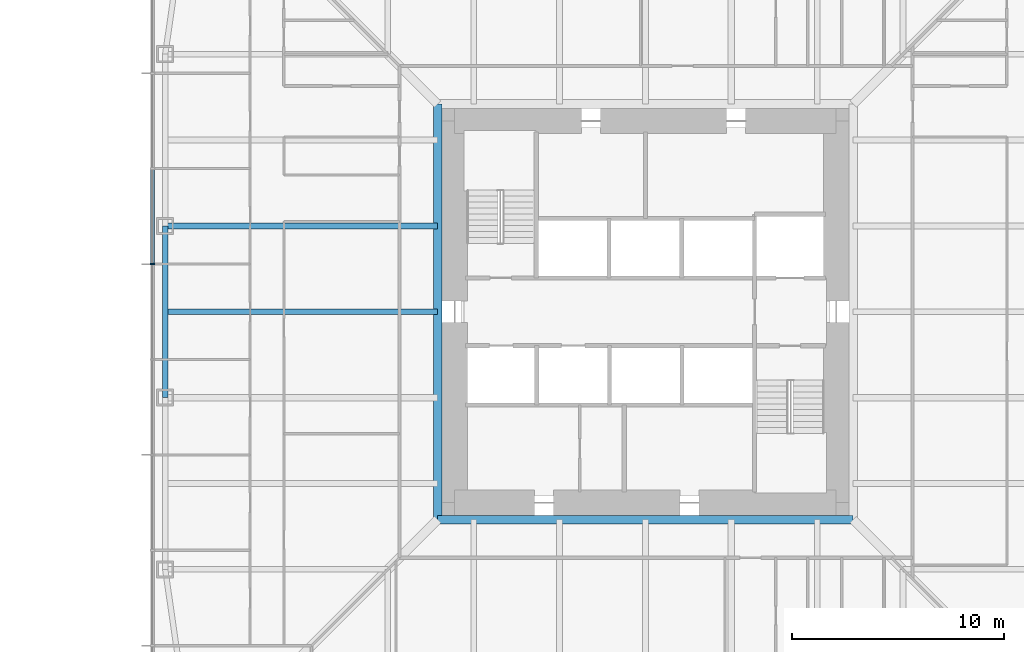
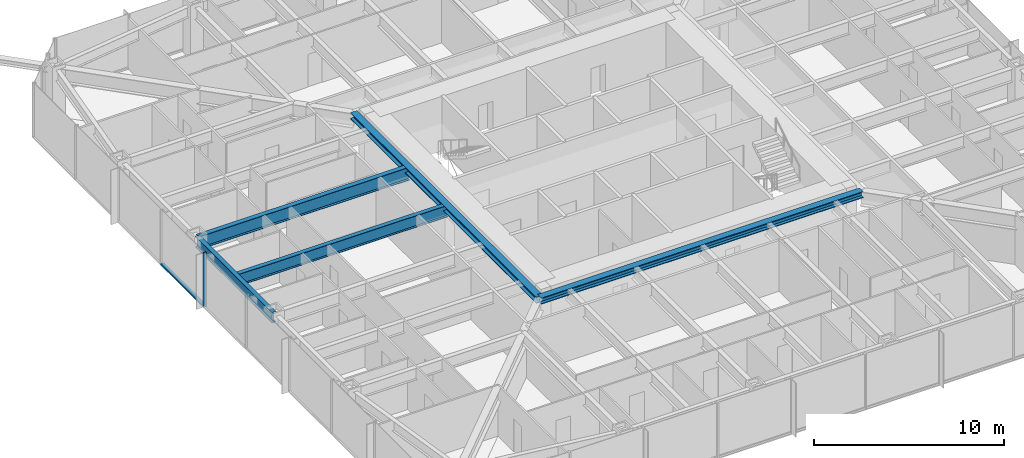
# One storey, part 4 of 26: 5 beams, 2 members, 1 element without a shape of its own.
"""IFC4 building model written with IfcOpenShell, lengths in metres."""

from ifc_helpers import new_model, si_unit, direction, frame, origin, origin_2d, place, context, subcontext, project, spatial, rectangle, i_section, extrude, material, material_profile, profile_set, type_object, element, aggregate, save


model = new_model("IFC4")

# Units and contexts
model_context = context("Model", 3, precision=1e-05, world=origin(), true_north=direction((0.0, 1.0)))
body_context = subcontext(model_context, "Body", "Model", "MODEL_VIEW")
ifc_project = project(units=[si_unit("LENGTHUNIT", "METRE"), si_unit("AREAUNIT", "SQUARE_METRE"), si_unit("VOLUMEUNIT", "CUBIC_METRE"), si_unit("PLANEANGLEUNIT", "RADIAN"), si_unit("MASSUNIT", "GRAM", prefix="KILO")], contexts=[model_context])

# Site, building, storey
site_placement = place(None, origin())
site = spatial("IfcSite", under=ifc_project, at=site_placement, CompositionType="ELEMENT")
building_placement = place(site_placement, origin())
building = spatial("IfcBuilding", under=site, at=building_placement, Name="Iwan Alto Co-Living Towers", CompositionType="ELEMENT")
storey_placement = place(building_placement, frame((0.0, 0.0, 29.0)))
storey = spatial("IfcBuildingStorey", under=building, at=storey_placement, Name="L07", CompositionType="ELEMENT", Elevation=29.0)

# Curtain wall, members
ifc_material_1 = material(Name="Bronze aluminium unitised frame", Category="aluminium")
curtain_wall_type = type_object("IfcCurtainWallType", Name="CURTAIN WALL CW-A", PredefinedType="NOTDEFINED", material=ifc_material_1)
curtain_wall_placement = place(storey_placement, origin())
curtain_wall = element("IfcCurtainWall", 1, at=curtain_wall_placement, inside=storey, type_object=curtain_wall_type, Name="T1 curtain wall W L07", PredefinedType="NOTDEFINED")
ifc_material_2 = material(Name="Aluminium 6063-T6 bronze anodised", Category="aluminium")
ifc_material_profile_1 = material_profile(ifc_material_2, rectangle(XDim=0.199951171875, YDim=0.080078125, at=origin_2d()), Name="AL 80X200")
ifc_profile_set_1 = profile_set([ifc_material_profile_1], Name="Aluminium 6063-T6 bronze anodised")
member_type_1 = type_object("IfcMemberType", Name="CW-A MULLION 80X200", PredefinedType="MULLION", material=ifc_profile_set_1)
member_1_placement = place(storey_placement, frame((-23.25, 2.25, 0.0), z_axis=(0.0, 0.0, 1.0), x_axis=(1.0, 0.0, 0.0)))
member_1 = element("IfcMember", 2, at=member_1_placement, type_object=member_type_1, Name="CW-A mullion 5", PredefinedType="MULLION", context=body_context, shape_type="SweptSolid", body=[
    extrude(rectangle(XDim=0.199951171875, YDim=0.080078125, at=origin_2d()), origin(), (0.0, 0.0, 1.0), 3.5),
])
ifc_material_3 = material(Name="Aluminium 6063-T6 bronze anodised", Category="aluminium")
ifc_material_profile_2 = material_profile(ifc_material_3, rectangle(XDim=0.199951171875, YDim=0.10009765625, at=origin_2d()), Name="AL 200X100")
ifc_profile_set_2 = profile_set([ifc_material_profile_2], Name="Aluminium 6063-T6 bronze anodised")
member_type_2 = type_object("IfcMemberType", Name="CW-A TRANSOM 200X100", PredefinedType="USERDEFINED", material=ifc_profile_set_2)
member_2_placement = place(storey_placement, frame((-23.25, 6.7099609375, 0.050048828125), z_axis=(0.0, -1.0, 0.0), x_axis=(1.0, 0.0, 0.0)))
member_2 = element("IfcMember", 3, at=member_2_placement, type_object=member_type_2, Name="CW-A transom 4.1", ObjectType="TRANSOM", PredefinedType="USERDEFINED", context=body_context, shape_type="SweptSolid", body=[
    extrude(rectangle(XDim=0.199951171875, YDim=0.10009765625, at=origin_2d()), origin(), (0.0, 0.0, 1.0), 4.419921875),
])
aggregate(curtain_wall, [member_1, member_2])

# Beams
ifc_material_4 = material(Name="Steel ASTM A992 Gr 50", Category="steel")
ifc_material_profile_3 = material_profile(ifc_material_4, i_section(OverallWidth=0.40380859375, OverallDepth=0.406494140625, WebThickness=0.027099609375, FlangeThickness=0.043701171875, at=origin_2d()), Name="W14X233")
ifc_profile_set_3 = profile_set([ifc_material_profile_3], Name="Steel ASTM A992 Gr 50")
beam_type_1 = type_object("IfcBeamType", Name="T1 CORE LEDGER BEAM W14X233", PredefinedType="BEAM", material=ifc_profile_set_3)
for number, where, z_axis, x_axis, name in (
    (4, (-9.802001953125, -9.802001953125, 3.06689453125), (1.0, 0.0, 0.0), (0.0, 1.0, 0.0), "T1 core ledger beam S L08"),
    (5, (-9.802001953125, 9.802001953125, 3.06689453125), (0.0, -1.0, 0.0), (1.0, 0.0, 0.0), "T1 core ledger beam W L08"),
):
    element("IfcBeam", number, at=place(storey_placement, frame(where, z_axis=z_axis, x_axis=x_axis)), inside=storey, type_object=beam_type_1, Name=name, PredefinedType="BEAM", context=body_context, shape_type="SweptSolid", body=[
        extrude(i_section(OverallWidth=0.40380859375, OverallDepth=0.406494140625, WebThickness=0.027099609375, FlangeThickness=0.043701171875, at=origin_2d()), origin(), (0.0, 0.0, 1.0), 19.60400390625),
    ])
ifc_material_5 = material(Name="Steel ASTM A992 Gr 50", Category="steel")
ifc_material_profile_4 = material_profile(ifc_material_5, i_section(OverallWidth=0.25390625, OverallDepth=0.683349609375, WebThickness=0.012451171875, FlangeThickness=0.018798828125, at=origin_2d()), Name="W27X94")
ifc_profile_set_4 = profile_set([ifc_material_profile_4], Name="Steel ASTM A992 Gr 50")
beam_type_2 = type_object("IfcBeamType", Name="T1 EDGE BEAM W27X94", PredefinedType="BEAM", material=ifc_profile_set_4)
beam_1_placement = place(storey_placement, frame((-22.64990234375, 4.050048828125, 2.928466796875), z_axis=(0.0, -1.0, 0.0), x_axis=(1.0, 0.0, 0.0)))
element("IfcBeam", 6, at=beam_1_placement, inside=storey, type_object=beam_type_2, Name="T1 edge beam W2 L08", PredefinedType="BEAM", context=body_context, shape_type="SweptSolid", body=[
    extrude(i_section(OverallWidth=0.25390625, OverallDepth=0.683349609375, WebThickness=0.012451171875, FlangeThickness=0.018798828125, at=origin_2d()), origin(), (0.0, 0.0, 1.0), 8.10009765625),
])
ifc_material_6 = material(Name="Steel ASTM A992 Gr 50", Category="steel")
ifc_material_profile_5 = material_profile(ifc_material_6, i_section(OverallWidth=0.2919921875, OverallDepth=0.8408203125, WebThickness=0.0146484375, FlangeThickness=0.021728515625, at=origin_2d()), Name="W33X130")
ifc_profile_set_5 = profile_set([ifc_material_profile_5], Name="Steel ASTM A992 Gr 50")
beam_type_3 = type_object("IfcBeamType", Name="T1 RADIAL BEAM W33X130", PredefinedType="BEAM", material=ifc_profile_set_5)
beam_2_placement = place(storey_placement, frame((-22.64990234375, 4.050048828125, 2.849609375), z_axis=(1.0, 0.0, 0.0), x_axis=(0.0, 1.0, 0.0)))
element("IfcBeam", 7, at=beam_2_placement, inside=storey, type_object=beam_type_3, Name="T1 radial beam W2 L08", PredefinedType="BEAM", context=body_context, shape_type="SweptSolid", body=[
    extrude(i_section(OverallWidth=0.2919921875, OverallDepth=0.8408203125, WebThickness=0.0146484375, FlangeThickness=0.021728515625, at=origin_2d()), origin(), (0.0, 0.0, 1.0), 12.847900390625),
])
ifc_material_7 = material(Name="Steel ASTM A992 Gr 50", Category="steel")
ifc_material_profile_6 = material_profile(ifc_material_7, i_section(OverallWidth=0.2666015625, OverallDepth=0.761962890625, WebThickness=0.014404296875, FlangeThickness=0.021484375, at=origin_2d()), Name="W30X116")
ifc_profile_set_6 = profile_set([ifc_material_profile_6], Name="Steel ASTM A992 Gr 50")
beam_type_4 = type_object("IfcBeamType", Name="T1 SECONDARY BEAM W30X116", PredefinedType="JOIST", material=ifc_profile_set_6)
beam_3_placement = place(storey_placement, frame((-22.64990234375, 0.0, 2.888916015625), z_axis=(1.0, 0.0, 0.0), x_axis=(0.0, 1.0, 0.0)))
element("IfcBeam", 8, at=beam_3_placement, inside=storey, type_object=beam_type_4, Name="T1 secondary beam W2 L08", PredefinedType="JOIST", context=body_context, shape_type="SweptSolid", body=[
    extrude(i_section(OverallWidth=0.2666015625, OverallDepth=0.761962890625, WebThickness=0.014404296875, FlangeThickness=0.021484375, at=origin_2d()), origin(), (0.0, 0.0, 1.0), 12.847900390625),
])

save(model, "model.ifc")
